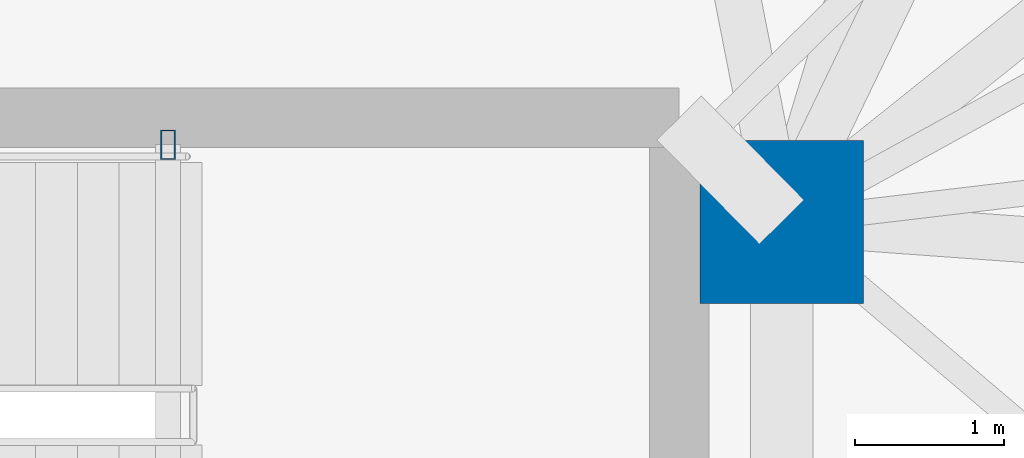
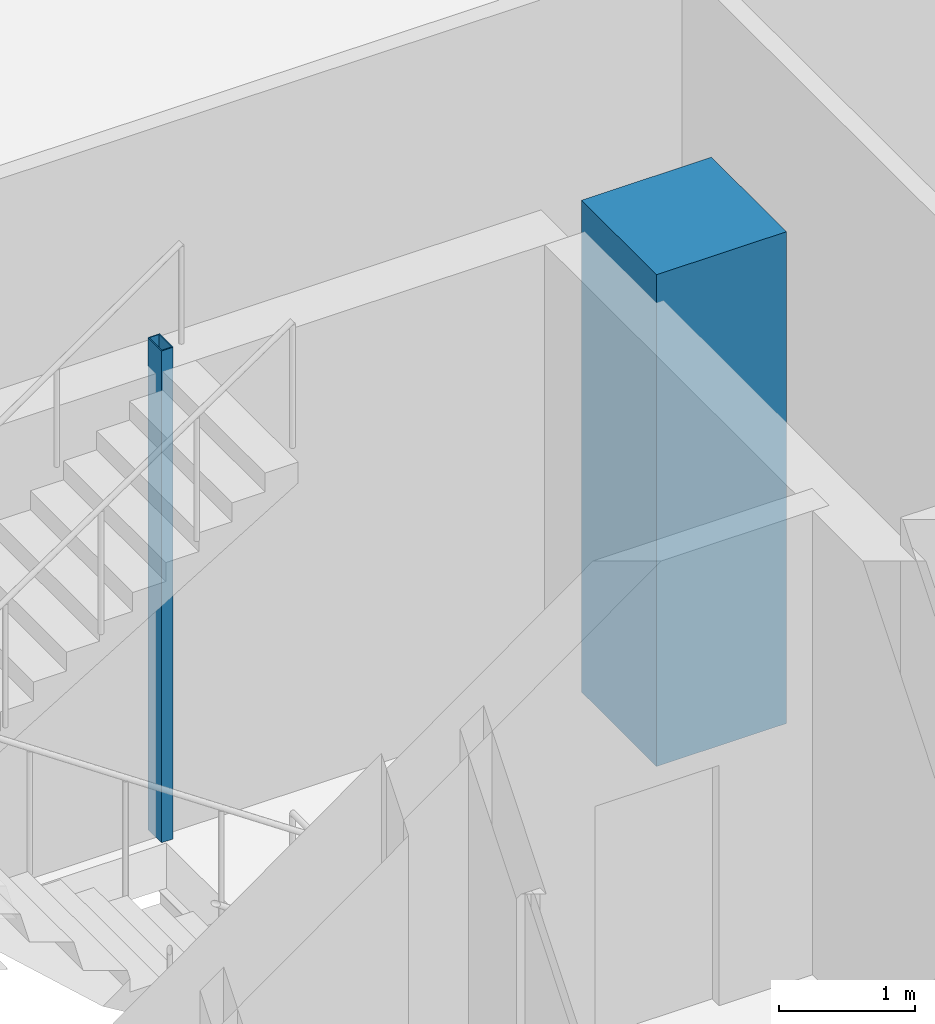
# One storey, part 4 of 19: 2 columns.
"""IFC4 building model written with IfcOpenShell, lengths in metres."""

from ifc_helpers import new_model, si_unit, direction, frame, origin, origin_2d, place, context, subcontext, project, spatial, rectangle, hollow_rectangle, extrude, material, material_profile, profile_set, type_object, element, save


model = new_model("IFC4")

# Units and contexts
model_context = context("Model", 3, precision=1e-05, world=origin(), true_north=direction((0.0, 1.0)))
body_context = subcontext(model_context, "Body", "Model", "MODEL_VIEW")
ifc_project = project(units=[si_unit("LENGTHUNIT", "METRE"), si_unit("AREAUNIT", "SQUARE_METRE"), si_unit("VOLUMEUNIT", "CUBIC_METRE"), si_unit("PLANEANGLEUNIT", "RADIAN"), si_unit("MASSUNIT", "GRAM", prefix="KILO")], contexts=[model_context])

# Site, building, storey
site_placement = place(None, origin())
site = spatial("IfcSite", under=ifc_project, at=site_placement, CompositionType="ELEMENT")
building_placement = place(site_placement, origin())
building = spatial("IfcBuilding", under=site, at=building_placement, Name="Menara Jurai Vektor", CompositionType="ELEMENT")
storey_placement = place(building_placement, frame((0.0, 0.0, 142.89990234375)))
storey = spatial("IfcBuildingStorey", under=building, at=storey_placement, Name="L36", CompositionType="ELEMENT", Elevation=142.89990234375)

# Columns
ifc_material_1 = material(Name="Concrete C50/60", Category="concrete")
ifc_material_profile_1 = material_profile(ifc_material_1, rectangle(XDim=1.10009765625, YDim=1.10009765625, at=origin_2d()), Name="RC 1100x1100")
ifc_profile_set_1 = profile_set([ifc_material_profile_1], Name="Concrete C50/60")
column_type_1 = type_object("IfcColumnType", Name="STR-COL-RC1100", PredefinedType="COLUMN", material=ifc_profile_set_1)
column_1_placement = place(storey_placement, frame((15.25, 4.89990234375, 0.0), z_axis=(0.0, 0.0, 1.0), x_axis=(1.0, 0.0, 0.0)))
element("IfcColumn", 1, at=column_1_placement, inside=storey, type_object=column_type_1, Name="Core Spine Column CE-NE L36", PredefinedType="COLUMN", context=body_context, shape_type="SweptSolid", body=[
    extrude(rectangle(XDim=1.10009765625, YDim=1.10009765625, at=origin_2d()), origin(), (0.0, 0.0, 1.0), 4.400146484375),
])
ifc_material_2 = material(Name="Steel S355", Category="steel")
ifc_material_profile_2 = material_profile(ifc_material_2, hollow_rectangle(XDim=0.10009765625, YDim=0.199951171875, WallThickness=0.008056640625, at=origin_2d()), Name="RHS 200x100x8")
ifc_profile_set_2 = profile_set([ifc_material_profile_2], Name="Steel S355")
column_type_2 = type_object("IfcColumnType", Name="STR-COL-STAIR", PredefinedType="COLUMN", material=ifc_profile_set_2)
column_2_placement = place(storey_placement, frame((11.1201171875, 5.419921875, 0.0), z_axis=(0.0, 0.0, 1.0), x_axis=(1.0, 0.0, 0.0)))
element("IfcColumn", 2, at=column_2_placement, inside=storey, type_object=column_type_2, Name="Stair Well Header Column ST2-P2 L36", PredefinedType="COLUMN", context=body_context, shape_type="SweptSolid", body=[
    extrude(hollow_rectangle(XDim=0.10009765625, YDim=0.199951171875, WallThickness=0.008056640625, at=origin_2d()), origin(), (0.0, 0.0, 1.0), 4.400146484375),
])

save(model, "model.ifc")
